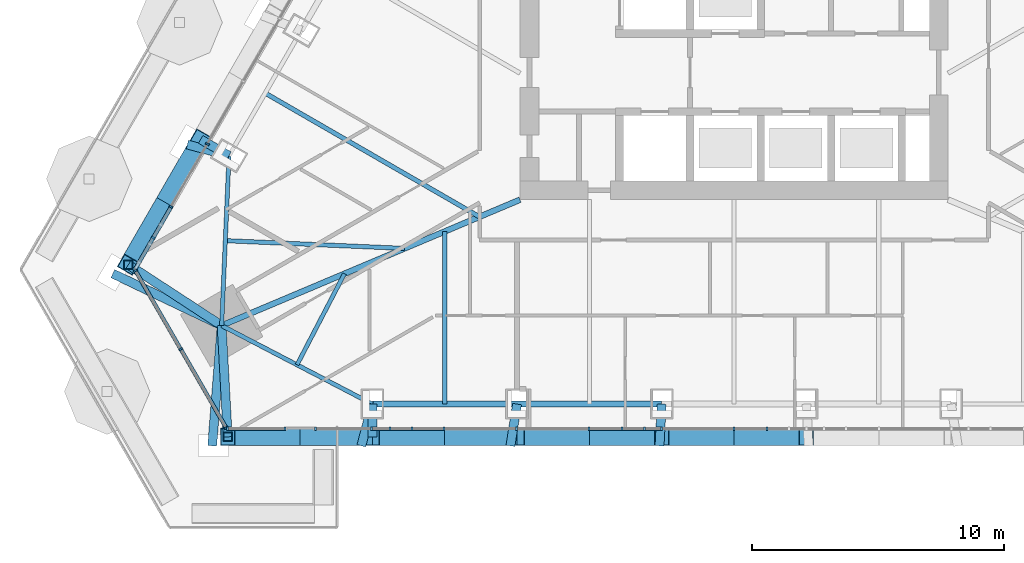
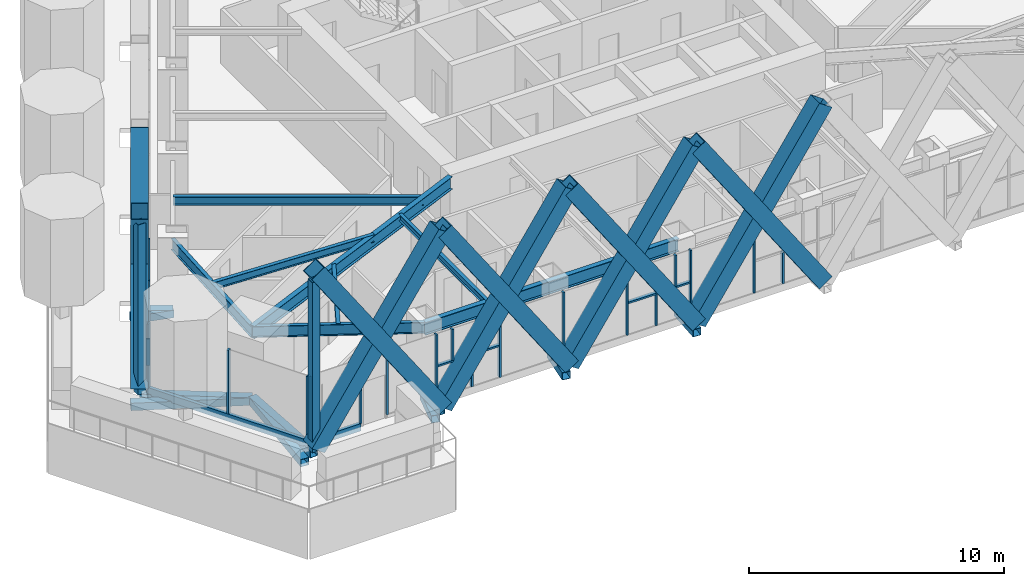
# One storey, part 2 of 24: 48 members, 8 beams, 3 elements without a shape of their own.
"""IFC4 building model written with IfcOpenShell, lengths in metres."""

from ifc_helpers import new_model, si_unit, direction, frame, origin, origin_2d, place, context, subcontext, project, spatial, rectangle, hollow_rectangle, i_section, extrude, material, layer, layer_set, material_profile, profile_set, type_object, element, aggregate, save


model = new_model("IFC4")

# Units and contexts
model_context = context("Model", 3, precision=1e-05, world=origin(), true_north=direction((0.0, 1.0)))
body_context = subcontext(model_context, "Body", "Model", "MODEL_VIEW")
ifc_project = project(units=[si_unit("LENGTHUNIT", "METRE"), si_unit("AREAUNIT", "SQUARE_METRE"), si_unit("VOLUMEUNIT", "CUBIC_METRE"), si_unit("PLANEANGLEUNIT", "RADIAN"), si_unit("MASSUNIT", "GRAM", prefix="KILO")], contexts=[model_context])

# Site, building, storey
site_placement = place(None, origin())
site = spatial("IfcSite", under=ifc_project, at=site_placement, CompositionType="ELEMENT")
building_placement = place(site_placement, origin())
building = spatial("IfcBuilding", under=site, at=building_placement, Name="Firuza Gate Tower and Library", CompositionType="ELEMENT")
storey_placement = place(building_placement, frame((0.0, 0.0, 323.10009765625)))
storey = spatial("IfcBuildingStorey", under=building, at=storey_placement, Name="L79", CompositionType="ELEMENT", Elevation=323.10009765625)

# Members
ifc_material_1 = material(Name="Steel S355", Category="steel")
ifc_material_profile_1 = material_profile(ifc_material_1, hollow_rectangle(XDim=0.699951171875, YDim=0.699951171875, WallThickness=0.030029296875, at=origin_2d()))
ifc_profile_set_1 = profile_set([ifc_material_profile_1], Name="Steel S355")
member_type_1 = type_object("IfcMemberType", Name="BU700x700x30 Lattice brace", PredefinedType="BRACE", material=ifc_profile_set_1)
for number, where, z_axis, x_axis, name in (
    (1, (54.89599609375, 58.8359375, 0.0), (0.559901128123, 0.0, 0.828559428603), (0.0, 1.0, 0.0), "Lattice brace S 21.1R"),
    (2, (60.639892578125, 58.8359375, 0.0), (-0.559901128123, 0.0, 0.828559428603), (0.0, -1.0, 0.0), "Lattice brace S 21.1L"),
    (3, (60.639892578125, 58.8359375, 0.0), (0.559917465542, 0.0, 0.828548388316), (0.0, 1.0, 0.0), "Lattice brace S 21.2R"),
    (4, (66.384033203125, 58.8359375, 0.0), (-0.559917465542, 0.0, 0.828548388316), (0.0, -1.0, 0.0), "Lattice brace S 21.2L"),
    (5, (66.384033203125, 58.8359375, 0.0), (0.559901128123, 0.0, 0.828559428603), (0.0, 1.0, 0.0), "Lattice brace S 21.3R"),
    (6, (72.1279296875, 58.8359375, 0.0), (-0.559901128123, 0.0, 0.828559428603), (0.0, -1.0, 0.0), "Lattice brace S 21.3L"),
    (7, (72.1279296875, 58.8359375, 0.0), (0.559917465542, 0.0, 0.828548388316), (0.0, 1.0, 0.0), "Lattice brace S 21.4R"),
    (8, (77.8720703125, 58.8359375, 0.0), (-0.559917465542, 0.0, 0.828548388316), (0.0, -1.0, 0.0), "Lattice brace S 21.4L"),
    (9, (53.821533203125, 70.645751953125, 0.0), (-0.279939531792, -0.484890585756, 0.828561994292), (0.866034822164, -0.499983686533, 0.0), "Lattice brace W 21.7R"),
    (10, (50.94970703125, 65.67138671875, 0.0), (0.279939531792, 0.484890585756, 0.828561994292), (-0.866034822164, 0.499983686533, 0.0), "Lattice brace W 21.7L"),
):
    element("IfcMember", number, at=place(storey_placement, frame(where, z_axis=z_axis, x_axis=x_axis)), inside=storey, type_object=member_type_1, Name=name, PredefinedType="BRACE", context=body_context, shape_type="SweptSolid", body=[
        extrude(hollow_rectangle(XDim=0.699951171875, YDim=0.699951171875, WallThickness=0.030029296875, at=origin_2d()), origin(), (0.0, 0.0, 1.0), 10.2587890625),
    ])

# Curtain wall, members
ifc_material_2 = material(Name="Aluminium 6063-T6", Category="aluminium")
ifc_layer_1 = layer(ifc_material_2, 0.14990234375)
ifc_layer_set_1 = layer_set([ifc_layer_1], Name="Unitised curtain wall, residences")
curtain_wall_type_1 = type_object("IfcCurtainWallType", Name="Unitised curtain wall, residences", PredefinedType="NOTDEFINED", material=ifc_layer_set_1)
placement = place(storey_placement, origin())
curtain_wall_1 = element("IfcCurtainWall", 11, at=placement, inside=storey, type_object=curtain_wall_type_1, Name="CW3 L79 S face", PredefinedType="NOTDEFINED")
ifc_material_3 = material(Name="Aluminium 6063-T6", Category="aluminium")
ifc_material_profile_2 = material_profile(ifc_material_3, rectangle(XDim=0.14990234375, YDim=0.080078125, at=origin_2d()))
ifc_profile_set_2 = profile_set([ifc_material_profile_2], Name="Aluminium 6063-T6")
member_type_2 = type_object("IfcMemberType", Name="Curtain wall mullion 80x150", PredefinedType="MULLION", material=ifc_profile_set_2)
member_1_placement = place(storey_placement, frame((54.892578125, 59.1611328125, 0.14990234375), z_axis=(0.0, 0.0, 1.0), x_axis=(0.0, 1.0, 0.0)))
member_1 = element("IfcMember", 12, at=member_1_placement, type_object=member_type_2, Name="Mullion", PredefinedType="MULLION", context=body_context, shape_type="SweptSolid", body=[
    extrude(rectangle(XDim=0.14990234375, YDim=0.080078125, at=origin_2d()), origin(), (0.0, 0.0, 1.0), 3.050048828125),
])
member_2_placement = place(storey_placement, frame((57.172607421875, 59.1611328125, 0.14990234375), z_axis=(0.0, 0.0, 1.0), x_axis=(0.0, 1.0, 0.0)))
member_2 = element("IfcMember", 13, at=member_2_placement, type_object=member_type_2, Name="Mullion", PredefinedType="MULLION", context=body_context, shape_type="SweptSolid", body=[
    extrude(rectangle(XDim=0.14990234375, YDim=0.080078125, at=origin_2d()), origin(), (0.0, 0.0, 1.0), 3.050048828125),
])
member_3_placement = place(storey_placement, frame((58.372802734375, 59.1611328125, 0.14990234375), z_axis=(0.0, 0.0, 1.0), x_axis=(0.0, 1.0, 0.0)))
member_3 = element("IfcMember", 14, at=member_3_placement, type_object=member_type_2, Name="Mullion", PredefinedType="MULLION", context=body_context, shape_type="SweptSolid", body=[
    extrude(rectangle(XDim=0.14990234375, YDim=0.080078125, at=origin_2d()), origin(), (0.0, 0.0, 1.0), 3.050048828125),
])
member_4_placement = place(storey_placement, frame((60.609130859375, 59.1611328125, 0.14990234375), z_axis=(0.0, 0.0, 1.0), x_axis=(0.0, 1.0, 0.0)))
member_4 = element("IfcMember", 15, at=member_4_placement, type_object=member_type_2, Name="Mullion", PredefinedType="MULLION", context=body_context, shape_type="SweptSolid", body=[
    extrude(rectangle(XDim=0.14990234375, YDim=0.080078125, at=origin_2d()), origin(), (0.0, 0.0, 1.0), 3.050048828125),
])
member_5_placement = place(storey_placement, frame((63.4873046875, 59.1611328125, 0.14990234375), z_axis=(0.0, 0.0, 1.0), x_axis=(0.0, 1.0, 0.0)))
member_5 = element("IfcMember", 16, at=member_5_placement, type_object=member_type_2, Name="Mullion", PredefinedType="MULLION", context=body_context, shape_type="SweptSolid", body=[
    extrude(rectangle(XDim=0.14990234375, YDim=0.080078125, at=origin_2d()), origin(), (0.0, 0.0, 1.0), 3.050048828125),
])
member_6_placement = place(storey_placement, frame((66.365478515625, 59.1611328125, 0.14990234375), z_axis=(0.0, 0.0, 1.0), x_axis=(0.0, 1.0, 0.0)))
member_6 = element("IfcMember", 17, at=member_6_placement, type_object=member_type_2, Name="Mullion", PredefinedType="MULLION", context=body_context, shape_type="SweptSolid", body=[
    extrude(rectangle(XDim=0.14990234375, YDim=0.080078125, at=origin_2d()), origin(), (0.0, 0.0, 1.0), 3.050048828125),
])
member_7_placement = place(storey_placement, frame((69.24365234375, 59.1611328125, 0.14990234375), z_axis=(0.0, 0.0, 1.0), x_axis=(0.0, 1.0, 0.0)))
member_7 = element("IfcMember", 18, at=member_7_placement, type_object=member_type_2, Name="Mullion", PredefinedType="MULLION", context=body_context, shape_type="SweptSolid", body=[
    extrude(rectangle(XDim=0.14990234375, YDim=0.080078125, at=origin_2d()), origin(), (0.0, 0.0, 1.0), 3.050048828125),
])
member_8_placement = place(storey_placement, frame((72.121826171875, 59.1611328125, 0.14990234375), z_axis=(0.0, 0.0, 1.0), x_axis=(0.0, 1.0, 0.0)))
member_8 = element("IfcMember", 19, at=member_8_placement, type_object=member_type_2, Name="Mullion", PredefinedType="MULLION", context=body_context, shape_type="SweptSolid", body=[
    extrude(rectangle(XDim=0.14990234375, YDim=0.080078125, at=origin_2d()), origin(), (0.0, 0.0, 1.0), 3.050048828125),
])
member_9_placement = place(storey_placement, frame((75.0, 59.1611328125, 0.14990234375), z_axis=(0.0, 0.0, 1.0), x_axis=(0.0, 1.0, 0.0)))
member_9 = element("IfcMember", 20, at=member_9_placement, type_object=member_type_2, Name="Mullion", PredefinedType="MULLION", context=body_context, shape_type="SweptSolid", body=[
    extrude(rectangle(XDim=0.14990234375, YDim=0.080078125, at=origin_2d()), origin(), (0.0, 0.0, 1.0), 3.050048828125),
])
member_10_placement = place(storey_placement, frame((62.21240234375, 59.1611328125, 0.14990234375), z_axis=(0.0, 0.0, 1.0), x_axis=(0.0, 1.0, 0.0)))
member_10 = element("IfcMember", 21, at=member_10_placement, type_object=member_type_2, Name="Mullion", PredefinedType="MULLION", context=body_context, shape_type="SweptSolid", body=[
    extrude(rectangle(XDim=0.14990234375, YDim=0.080078125, at=origin_2d()), origin(), (0.0, 0.0, 1.0), 1.485107421875),
])
member_11_placement = place(storey_placement, frame((61.33154296875, 59.1611328125, 1.71484375), z_axis=(0.0, 0.0, 1.0), x_axis=(0.0, 1.0, 0.0)))
member_11 = element("IfcMember", 22, at=member_11_placement, type_object=member_type_2, Name="Mullion", PredefinedType="MULLION", context=body_context, shape_type="SweptSolid", body=[
    extrude(rectangle(XDim=0.14990234375, YDim=0.080078125, at=origin_2d()), origin(), (0.0, 0.0, 1.0), 1.485107421875),
])
member_12_placement = place(storey_placement, frame((70.5556640625, 59.1611328125, 0.14990234375), z_axis=(0.0, 0.0, 1.0), x_axis=(0.0, 1.0, 0.0)))
member_12 = element("IfcMember", 23, at=member_12_placement, type_object=member_type_2, Name="Mullion", PredefinedType="MULLION", context=body_context, shape_type="SweptSolid", body=[
    extrude(rectangle(XDim=0.14990234375, YDim=0.080078125, at=origin_2d()), origin(), (0.0, 0.0, 1.0), 1.485107421875),
])
member_13_placement = place(storey_placement, frame((71.4365234375, 59.1611328125, 1.71484375), z_axis=(0.0, 0.0, 1.0), x_axis=(0.0, 1.0, 0.0)))
member_13 = element("IfcMember", 24, at=member_13_placement, type_object=member_type_2, Name="Mullion", PredefinedType="MULLION", context=body_context, shape_type="SweptSolid", body=[
    extrude(rectangle(XDim=0.14990234375, YDim=0.080078125, at=origin_2d()), origin(), (0.0, 0.0, 1.0), 1.485107421875),
])
member_14_placement = place(storey_placement, frame((76.2998046875, 59.1611328125, 0.14990234375), z_axis=(0.0, 0.0, 1.0), x_axis=(0.0, 1.0, 0.0)))
member_14 = element("IfcMember", 25, at=member_14_placement, type_object=member_type_2, Name="Mullion", PredefinedType="MULLION", context=body_context, shape_type="SweptSolid", body=[
    extrude(rectangle(XDim=0.14990234375, YDim=0.080078125, at=origin_2d()), origin(), (0.0, 0.0, 1.0), 1.485107421875),
])

curtain_wall_2 = element("IfcCurtainWall", 26, at=placement, inside=storey, type_object=curtain_wall_type_1, Name="CW3 L79 W face", PredefinedType="NOTDEFINED")
member_15_placement = place(storey_placement, frame((54.087646484375, 70.45654296875, 0.14990234375), z_axis=(0.0, 0.0, 1.0), x_axis=(0.866025403784, -0.5, 0.0)))
member_15 = element("IfcMember", 27, at=member_15_placement, type_object=member_type_2, Name="Mullion", PredefinedType="MULLION", context=body_context, shape_type="SweptSolid", body=[
    extrude(rectangle(XDim=0.14990234375, YDim=0.080078125, at=origin_2d()), origin(), (0.0, 0.0, 1.0), 3.050048828125),
])
member_16_placement = place(storey_placement, frame((52.6484375, 67.964111328125, 0.14990234375), z_axis=(0.0, 0.0, 1.0), x_axis=(0.866025403784, -0.5, 0.0)))
member_16 = element("IfcMember", 28, at=member_16_placement, type_object=member_type_2, Name="Mullion", PredefinedType="MULLION", context=body_context, shape_type="SweptSolid", body=[
    extrude(rectangle(XDim=0.14990234375, YDim=0.080078125, at=origin_2d()), origin(), (0.0, 0.0, 1.0), 3.050048828125),
])
member_17_placement = place(storey_placement, frame((51.941162109375, 66.73876953125, 0.14990234375), z_axis=(0.0, 0.0, 1.0), x_axis=(0.866025403784, -0.5, 0.0)))
member_17 = element("IfcMember", 29, at=member_17_placement, type_object=member_type_2, Name="Mullion", PredefinedType="MULLION", context=body_context, shape_type="SweptSolid", body=[
    extrude(rectangle(XDim=0.14990234375, YDim=0.080078125, at=origin_2d()), origin(), (0.0, 0.0, 1.0), 1.260009765625),
])

ifc_material_4 = material(Name="Aluminium 6063-T6", Category="aluminium")
ifc_layer_2 = layer(ifc_material_4, 0.14990234375)
ifc_layer_set_2 = layer_set([ifc_layer_2], Name="Corner curtain wall, chamfers")
curtain_wall_type_2 = type_object("IfcCurtainWallType", Name="Corner curtain wall, chamfers", PredefinedType="NOTDEFINED", material=ifc_layer_set_2)
curtain_wall_3 = element("IfcCurtainWall", 30, at=placement, inside=storey, type_object=curtain_wall_type_2, Name="CW4 L79 SW corner", PredefinedType="NOTDEFINED")
member_18_placement = place(storey_placement, frame((51.2294921875, 65.436767578125, 0.14990234375), z_axis=(0.0, 0.0, 1.0), x_axis=(0.866025403784, 0.5, 0.0)))
member_18 = element("IfcMember", 31, at=member_18_placement, type_object=member_type_2, Name="Mullion", PredefinedType="MULLION", context=body_context, shape_type="SweptSolid", body=[
    extrude(rectangle(XDim=0.14990234375, YDim=0.080078125, at=origin_2d()), origin(), (0.0, 0.0, 1.0), 3.050048828125),
])
member_19_placement = place(storey_placement, frame((53.031005859375, 62.316162109375, 0.14990234375), z_axis=(0.0, 0.0, 1.0), x_axis=(0.866025403784, 0.5, 0.0)))
member_19 = element("IfcMember", 32, at=member_19_placement, type_object=member_type_2, Name="Mullion", PredefinedType="MULLION", context=body_context, shape_type="SweptSolid", body=[
    extrude(rectangle(XDim=0.14990234375, YDim=0.080078125, at=origin_2d()), origin(), (0.0, 0.0, 1.0), 3.050048828125),
])
member_20_placement = place(storey_placement, frame((54.832763671875, 59.195556640625, 0.14990234375), z_axis=(0.0, 0.0, 1.0), x_axis=(0.866025403784, 0.5, 0.0)))
member_20 = element("IfcMember", 33, at=member_20_placement, type_object=member_type_2, Name="Mullion", PredefinedType="MULLION", context=body_context, shape_type="SweptSolid", body=[
    extrude(rectangle(XDim=0.14990234375, YDim=0.080078125, at=origin_2d()), origin(), (0.0, 0.0, 1.0), 3.050048828125),
])

# Member
ifc_material_5 = material(Name="Aluminium 6063-T6", Category="aluminium")
ifc_material_profile_3 = material_profile(ifc_material_5, rectangle(XDim=0.14990234375, YDim=0.35009765625, at=origin_2d()))
ifc_profile_set_3 = profile_set([ifc_material_profile_3], Name="Aluminium 6063-T6")
member_type_3 = type_object("IfcMemberType", Name="Curtain wall transom 350x150", PredefinedType="USERDEFINED", material=ifc_profile_set_3)
member_21_placement = place(storey_placement, frame((54.852783203125, 59.1611328125, -0.025146484375), z_axis=(1.0, 0.0, 0.0), x_axis=(0.0, 1.0, 0.0)))
member_21 = element("IfcMember", 34, at=member_21_placement, type_object=member_type_3, Name="Transom", ObjectType="TRANSOM", PredefinedType="USERDEFINED", context=body_context, shape_type="SweptSolid", body=[
    extrude(rectangle(XDim=0.14990234375, YDim=0.35009765625, at=origin_2d()), origin(), (0.0, 0.0, 1.0), 2.31982421875),
])

member_22_placement = place(storey_placement, frame((51.20947265625, 65.471435546875, -0.025146484375), z_axis=(0.500005719219, -0.866022101766, 0.0), x_axis=(0.866022101766, 0.500005719219, 0.0)))
member_22 = element("IfcMember", 35, at=member_22_placement, type_object=member_type_3, Name="Transom", ObjectType="TRANSOM", PredefinedType="USERDEFINED", context=body_context, shape_type="SweptSolid", body=[
    extrude(rectangle(XDim=0.14990234375, YDim=0.35009765625, at=origin_2d()), origin(), (0.0, 0.0, 1.0), 7.28662109375),
])

aggregate(curtain_wall_3, [member_18, member_19, member_20, member_22])

ifc_material_6 = material(Name="Aluminium 6063-T6", Category="aluminium")
ifc_material_profile_4 = material_profile(ifc_material_6, rectangle(XDim=0.14990234375, YDim=0.080078125, at=origin_2d()))
ifc_profile_set_4 = profile_set([ifc_material_profile_4], Name="Aluminium 6063-T6")
member_type_4 = type_object("IfcMemberType", Name="Curtain wall transom 80x150", PredefinedType="USERDEFINED", material=ifc_profile_set_4)
member_23_placement = place(storey_placement, frame((60.649169921875, 59.1611328125, 1.6748046875), z_axis=(1.0, 0.0, 0.0), x_axis=(0.0, 1.0, 0.0)))
member_23 = element("IfcMember", 36, at=member_23_placement, type_object=member_type_4, Name="Transom", ObjectType="TRANSOM", PredefinedType="USERDEFINED", context=body_context, shape_type="SweptSolid", body=[
    extrude(rectangle(XDim=0.14990234375, YDim=0.080078125, at=origin_2d()), origin(), (0.0, 0.0, 1.0), 2.798095703125),
])

member_24_placement = place(storey_placement, frame((69.28369140625, 59.1611328125, 1.6748046875), z_axis=(1.0, 0.0, 0.0), x_axis=(0.0, 1.0, 0.0)))
member_24 = element("IfcMember", 37, at=member_24_placement, type_object=member_type_4, Name="Transom", ObjectType="TRANSOM", PredefinedType="USERDEFINED", context=body_context, shape_type="SweptSolid", body=[
    extrude(rectangle(XDim=0.14990234375, YDim=0.080078125, at=origin_2d()), origin(), (0.0, 0.0, 1.0), 2.798095703125),
])

aggregate(curtain_wall_1, [member_1, member_2, member_3, member_4, member_5, member_6, member_7, member_8, member_9, member_21, member_10, member_11, member_23, member_12, member_13, member_24, member_14])

member_25_placement = place(storey_placement, frame((52.62841796875, 67.929443359375, 1.449951171875), z_axis=(-0.499949037577, -0.866054824954, 0.0), x_axis=(0.866054824954, -0.499949037577, 0.0)))
member_25 = element("IfcMember", 38, at=member_25_placement, type_object=member_type_4, Name="Transom", ObjectType="TRANSOM", PredefinedType="USERDEFINED", context=body_context, shape_type="SweptSolid", body=[
    extrude(rectangle(XDim=0.14990234375, YDim=0.080078125, at=origin_2d()), origin(), (0.0, 0.0, 1.0), 2.798095703125),
])

member_26_placement = place(storey_placement, frame((52.62841796875, 67.929443359375, 2.324951171875), z_axis=(-0.499949037577, -0.866054824954, 0.0), x_axis=(0.866054824954, -0.499949037577, 0.0)))
member_26 = element("IfcMember", 39, at=member_26_placement, type_object=member_type_4, Name="Transom", ObjectType="TRANSOM", PredefinedType="USERDEFINED", context=body_context, shape_type="SweptSolid", body=[
    extrude(rectangle(XDim=0.14990234375, YDim=0.080078125, at=origin_2d()), origin(), (0.0, 0.0, 1.0), 2.798095703125),
])

aggregate(curtain_wall_2, [member_15, member_16, member_17, member_25, member_26])

# Members
ifc_material_7 = material(Name="Steel S355", Category="steel")
ifc_material_profile_5 = material_profile(ifc_material_7, hollow_rectangle(XDim=0.355712890625, YDim=0.355712890625, WallThickness=0.014892578125, at=origin_2d()))
ifc_profile_set_5 = profile_set([ifc_material_profile_5], Name="Steel S355")
member_type_5 = type_object("IfcMemberType", Name="HSS356x356x16 Lattice corner stile", PredefinedType="BRACE", material=ifc_profile_set_5)
for number, where, z_axis, x_axis, name in (
    (40, (54.89599609375, 58.8359375, -0.14013671875), (0.0, 0.0, 1.0), (1.0, 0.0, 0.0), "Lattice corner stile S 21.A"),
    (41, (50.94970703125, 65.67138671875, -0.14013671875), (0.0, 0.0, 1.0), (1.0, 0.0, 0.0), "Lattice corner stile W 21.B"),
):
    element("IfcMember", number, at=place(storey_placement, frame(where, z_axis=z_axis, x_axis=x_axis)), inside=storey, type_object=member_type_5, Name=name, PredefinedType="BRACE", context=body_context, shape_type="SweptSolid", body=[
        extrude(hollow_rectangle(XDim=0.355712890625, YDim=0.355712890625, WallThickness=0.014892578125, at=origin_2d()), origin(), (0.0, 0.0, 1.0), 8.14013671875),
    ])
ifc_material_8 = material(Name="Steel S355", Category="steel")
ifc_material_profile_6 = material_profile(ifc_material_8, hollow_rectangle(XDim=0.355712890625, YDim=0.355712890625, WallThickness=0.014892578125, at=origin_2d()))
ifc_profile_set_6 = profile_set([ifc_material_profile_6], Name="Steel S355")
member_type_6 = type_object("IfcMemberType", Name="HSS356x356x16 Lattice node tie", PredefinedType="BRACE", material=ifc_profile_set_6)
member_27_placement = place(storey_placement, frame((54.65478515625, 63.253662109375, -0.320068359375), z_axis=(-0.0782717362, -0.996932061533, 0.0), x_axis=(0.996932061533, -0.0782717362, 0.0)))
element("IfcMember", 42, at=member_27_placement, inside=storey, type_object=member_type_6, Name="Lattice node tie S L79 577", PredefinedType="BRACE", context=body_context, shape_type="SweptSolid", body=[
    extrude(hollow_rectangle(XDim=0.355712890625, YDim=0.355712890625, WallThickness=0.014892578125, at=origin_2d()), origin(), (0.0, 0.0, 1.0), 4.787841796875),
])
member_28_placement = place(storey_placement, frame((54.65478515625, 63.253662109375, -0.320068359375), z_axis=(0.054519511079, -0.998512705433, 0.0), x_axis=(0.998512705433, 0.054519511079, 0.0)))
element("IfcMember", 43, at=member_28_placement, inside=storey, type_object=member_type_6, Name="Lattice node tie S L79 578", PredefinedType="BRACE", context=body_context, shape_type="SweptSolid", body=[
    extrude(hollow_rectangle(XDim=0.355712890625, YDim=0.355712890625, WallThickness=0.014892578125, at=origin_2d()), origin(), (0.0, 0.0, 1.0), 4.42431640625),
])
member_29_placement = place(storey_placement, frame((60.639892578125, 60.135986328125, -0.320068359375), z_axis=(-0.25682869904, -0.966456941281, 0.0), x_axis=(0.966456941281, -0.25682869904, 0.0)))
element("IfcMember", 44, at=member_29_placement, inside=storey, type_object=member_type_6, Name="Lattice node tie S L79 579", PredefinedType="BRACE", context=body_context, shape_type="SweptSolid", body=[
    extrude(hollow_rectangle(XDim=0.355712890625, YDim=0.355712890625, WallThickness=0.014892578125, at=origin_2d()), origin(), (0.0, 0.0, 1.0), 1.712890625),
])
member_30_placement = place(storey_placement, frame((60.639892578125, 60.135986328125, -0.320068359375), z_axis=(0.0, -1.0, 0.0), x_axis=(1.0, 0.0, 0.0)))
element("IfcMember", 45, at=member_30_placement, inside=storey, type_object=member_type_6, Name="Lattice node tie S L79 580", PredefinedType="BRACE", context=body_context, shape_type="SweptSolid", body=[
    extrude(hollow_rectangle(XDim=0.355712890625, YDim=0.355712890625, WallThickness=0.014892578125, at=origin_2d()), origin(), (0.0, 0.0, 1.0), 1.300048828125),
])
member_31_placement = place(storey_placement, frame((66.384033203125, 60.135986328125, -0.320068359375), z_axis=(-0.157428167931, -0.98753044102, 0.0), x_axis=(0.98753044102, -0.157428167931, 0.0)))
element("IfcMember", 46, at=member_31_placement, inside=storey, type_object=member_type_6, Name="Lattice node tie S L79 581", PredefinedType="BRACE", context=body_context, shape_type="SweptSolid", body=[
    extrude(hollow_rectangle(XDim=0.355712890625, YDim=0.355712890625, WallThickness=0.014892578125, at=origin_2d()), origin(), (0.0, 0.0, 1.0), 1.676513671875),
])
member_32_placement = place(storey_placement, frame((72.1279296875, 60.135986328125, -0.320068359375), z_axis=(-0.053014856294, -0.9985937237, 0.0), x_axis=(0.9985937237, -0.053014856294, 0.0)))
element("IfcMember", 47, at=member_32_placement, inside=storey, type_object=member_type_6, Name="Lattice node tie S L79 582", PredefinedType="BRACE", context=body_context, shape_type="SweptSolid", body=[
    extrude(hollow_rectangle(XDim=0.355712890625, YDim=0.355712890625, WallThickness=0.014892578125, at=origin_2d()), origin(), (0.0, 0.0, 1.0), 1.657958984375),
])
member_33_placement = place(storey_placement, frame((54.65478515625, 63.253662109375, -0.320068359375), z_axis=(-0.902515271089, 0.430657851956, 0.0), x_axis=(-0.430657851956, -0.902515271089, 0.0)))
element("IfcMember", 48, at=member_33_placement, inside=storey, type_object=member_type_6, Name="Lattice node tie W L79 589", PredefinedType="BRACE", context=body_context, shape_type="SweptSolid", body=[
    extrude(hollow_rectangle(XDim=0.355712890625, YDim=0.355712890625, WallThickness=0.014892578125, at=origin_2d()), origin(), (0.0, 0.0, 1.0), 4.7880859375),
])
member_34_placement = place(storey_placement, frame((54.65478515625, 63.253662109375, -0.320068359375), z_axis=(-0.837468949855, 0.546484911071, 0.0), x_axis=(-0.546484911071, -0.837468949855, 0.0)))
element("IfcMember", 49, at=member_34_placement, inside=storey, type_object=member_type_6, Name="Lattice node tie W L79 590", PredefinedType="BRACE", context=body_context, shape_type="SweptSolid", body=[
    extrude(hollow_rectangle(XDim=0.355712890625, YDim=0.355712890625, WallThickness=0.014892578125, at=origin_2d()), origin(), (0.0, 0.0, 1.0), 4.424072265625),
])
member_35_placement = place(storey_placement, frame((54.947509765625, 69.995849609375, -0.320068359375), z_axis=(-0.965392491391, 0.260801337355, 0.0), x_axis=(-0.260801337355, -0.965392491391, 0.0)))
element("IfcMember", 50, at=member_35_placement, inside=storey, type_object=member_type_6, Name="Lattice node tie W L79 591", PredefinedType="BRACE", context=body_context, shape_type="SweptSolid", body=[
    extrude(hollow_rectangle(XDim=0.355712890625, YDim=0.355712890625, WallThickness=0.014892578125, at=origin_2d()), origin(), (0.0, 0.0, 1.0), 1.713134765625),
])
member_36_placement = place(storey_placement, frame((54.947509765625, 69.995849609375, -0.320068359375), z_axis=(-0.866085525409, 0.49989585183, 0.0), x_axis=(-0.49989585183, -0.866085525409, 0.0)))
element("IfcMember", 51, at=member_36_placement, inside=storey, type_object=member_type_6, Name="Lattice node tie W L79 592", PredefinedType="BRACE", context=body_context, shape_type="SweptSolid", body=[
    extrude(hollow_rectangle(XDim=0.355712890625, YDim=0.355712890625, WallThickness=0.014892578125, at=origin_2d()), origin(), (0.0, 0.0, 1.0), 1.300048828125),
])

# Beams
ifc_material_9 = material(Name="Steel S355", Category="steel")
ifc_material_profile_7 = material_profile(ifc_material_9, i_section(OverallWidth=0.1650390625, OverallDepth=0.31005859375, WebThickness=0.005859375, FlangeThickness=0.009765625, at=origin_2d()))
ifc_profile_set_7 = profile_set([ifc_material_profile_7], Name="Steel S355")
beam_type_1 = type_object("IfcBeamType", Name="W310x39 Floor beam", PredefinedType="JOIST", material=ifc_profile_set_7)
beam_1_placement = place(storey_placement, frame((57.6474609375, 61.69482421875, 3.044921875), z_axis=(0.461980546122, 0.886890058014, 0.0), x_axis=(-0.886890058014, 0.461980546122, 0.0)))
element("IfcBeam", 52, at=beam_1_placement, inside=storey, type_object=beam_type_1, Name="Floor beam L79 s10", PredefinedType="JOIST", context=body_context, shape_type="SweptSolid", body=[
    extrude(i_section(OverallWidth=0.1650390625, OverallDepth=0.31005859375, WebThickness=0.005859375, FlangeThickness=0.009765625, at=origin_2d()), origin(), (0.0, 0.0, 1.0), 4.07666015625),
])
beam_2_placement = place(storey_placement, frame((63.511962890625, 60.135986328125, 3.044921875), z_axis=(0.0, 1.0, 0.0), x_axis=(-1.0, 0.0, 0.0)))
element("IfcBeam", 53, at=beam_2_placement, inside=storey, type_object=beam_type_1, Name="Floor beam L79 s20", PredefinedType="JOIST", context=body_context, shape_type="SweptSolid", body=[
    extrude(i_section(OverallWidth=0.1650390625, OverallDepth=0.31005859375, WebThickness=0.005859375, FlangeThickness=0.009765625, at=origin_2d()), origin(), (0.0, 0.0, 1.0), 6.853759765625),
])
ifc_material_10 = material(Name="Steel S355", Category="steel")
ifc_material_profile_8 = material_profile(ifc_material_10, i_section(OverallWidth=0.1708984375, OverallDepth=0.35498046875, WebThickness=0.007080078125, FlangeThickness=0.01171875, at=origin_2d()))
ifc_profile_set_8 = profile_set([ifc_material_profile_8], Name="Steel S355")
beam_type_2 = type_object("IfcBeamType", Name="W360x51 Floor beam", PredefinedType="JOIST", material=ifc_profile_set_8)
beam_3_placement = place(storey_placement, frame((54.801025390625, 66.624755859375, 3.0224609375), z_axis=(0.999060487653, -0.043337535825, 0.0), x_axis=(0.043337535825, 0.999060487653, 0.0)))
element("IfcBeam", 54, at=beam_3_placement, inside=storey, type_object=beam_type_2, Name="Floor beam L79 s00", PredefinedType="JOIST", context=body_context, shape_type="SweptSolid", body=[
    extrude(i_section(OverallWidth=0.1708984375, OverallDepth=0.35498046875, WebThickness=0.007080078125, FlangeThickness=0.01171875, at=origin_2d()), origin(), (0.0, 0.0, 1.0), 7.12060546875),
])
ifc_material_11 = material(Name="Steel S355", Category="steel")
ifc_material_profile_9 = material_profile(ifc_material_11, i_section(OverallWidth=0.177978515625, OverallDepth=0.406982421875, WebThickness=0.0078125, FlangeThickness=0.0126953125, at=origin_2d()))
ifc_profile_set_9 = profile_set([ifc_material_profile_9], Name="Steel S355")
beam_type_3 = type_object("IfcBeamType", Name="W410x60 Floor beam", PredefinedType="JOIST", material=ifc_profile_set_9)
beam_4_placement = place(storey_placement, frame((56.383544921875, 72.483154296875, 2.996337890625), z_axis=(0.866018381575, -0.500012162627, 0.0), x_axis=(0.500012162627, 0.866018381575, 0.0)))
element("IfcBeam", 55, at=beam_4_placement, inside=storey, type_object=beam_type_3, Name="Floor beam L79 s84", PredefinedType="JOIST", context=body_context, shape_type="SweptSolid", body=[
    extrude(i_section(OverallWidth=0.177978515625, OverallDepth=0.406982421875, WebThickness=0.0078125, FlangeThickness=0.0126953125, at=origin_2d()), origin(), (0.0, 0.0, 1.0), 9.823486328125),
])
ifc_material_12 = material(Name="Steel S355", Category="steel")
ifc_material_profile_10 = material_profile(ifc_material_12, i_section(OverallWidth=0.166015625, OverallDepth=0.534912109375, WebThickness=0.01025390625, FlangeThickness=0.0166015625, at=origin_2d()))
ifc_profile_set_10 = profile_set([ifc_material_profile_10], Name="Steel S355")
beam_type_4 = type_object("IfcBeamType", Name="W530x85 Edge beam", PredefinedType="SPANDREL", material=ifc_profile_set_10)
for number, where, z_axis, x_axis, name in (
    (56, (54.947509765625, 69.995849609375, 2.932373046875), (-0.043375996648, -0.999058818546, 0.0), (0.999058818546, -0.043375996648, 0.0), "Edge beam L79 e00"),
    (57, (54.65478515625, 63.253662109375, 2.932373046875), (0.886887835935, -0.461984811947, 0.0), (0.461984811947, 0.886887835935, 0.0), "Edge beam L79 e10"),
):
    element("IfcBeam", number, at=place(storey_placement, frame(where, z_axis=z_axis, x_axis=x_axis)), inside=storey, type_object=beam_type_4, Name=name, PredefinedType="SPANDREL", context=body_context, shape_type="SweptSolid", body=[
        extrude(i_section(OverallWidth=0.166015625, OverallDepth=0.534912109375, WebThickness=0.01025390625, FlangeThickness=0.0166015625, at=origin_2d()), origin(), (0.0, 0.0, 1.0), 6.74853515625),
    ])
ifc_material_13 = material(Name="Steel S355", Category="steel")
ifc_material_profile_11 = material_profile(ifc_material_13, i_section(OverallWidth=0.22802734375, OverallDepth=0.60302734375, WebThickness=0.010498046875, FlangeThickness=0.014892578125, at=origin_2d()))
ifc_profile_set_11 = profile_set([ifc_material_profile_11], Name="Steel S355")
beam_type_5 = type_object("IfcBeamType", Name="W610x101 Girder", PredefinedType="BEAM", material=ifc_profile_set_11)
beam_5_placement = place(storey_placement, frame((54.65478515625, 63.253662109375, 2.8984375), z_axis=(0.921388175971, 0.388643576018, 0.0), x_axis=(-0.388643576018, 0.921388175971, 0.0)))
element("IfcBeam", 58, at=beam_5_placement, inside=storey, type_object=beam_type_5, Name="Girder L79 gSW", PredefinedType="BEAM", context=body_context, shape_type="SweptSolid", body=[
    extrude(i_section(OverallWidth=0.22802734375, OverallDepth=0.60302734375, WebThickness=0.010498046875, FlangeThickness=0.014892578125, at=origin_2d()), origin(), (0.0, 0.0, 1.0), 12.85595703125),
])
ifc_material_14 = material(Name="Steel S355", Category="steel")
ifc_material_profile_12 = material_profile(ifc_material_14, i_section(OverallWidth=0.22900390625, OverallDepth=0.612060546875, WebThickness=0.011962890625, FlangeThickness=0.01953125, at=origin_2d()))
ifc_profile_set_12 = profile_set([ifc_material_profile_12], Name="Steel S355")
beam_type_6 = type_object("IfcBeamType", Name="W610x125 Edge beam", PredefinedType="SPANDREL", material=ifc_profile_set_12)
beam_6_placement = place(storey_placement, frame((60.639892578125, 60.135986328125, 2.893798828125), z_axis=(1.0, 0.0, 0.0), x_axis=(0.0, 1.0, 0.0)))
element("IfcBeam", 59, at=beam_6_placement, inside=storey, type_object=beam_type_6, Name="Edge beam L79 e20", PredefinedType="SPANDREL", context=body_context, shape_type="SweptSolid", body=[
    extrude(i_section(OverallWidth=0.22900390625, OverallDepth=0.612060546875, WebThickness=0.011962890625, FlangeThickness=0.01953125, at=origin_2d()), origin(), (0.0, 0.0, 1.0), 11.488037109375),
])

save(model, "model.ifc")
